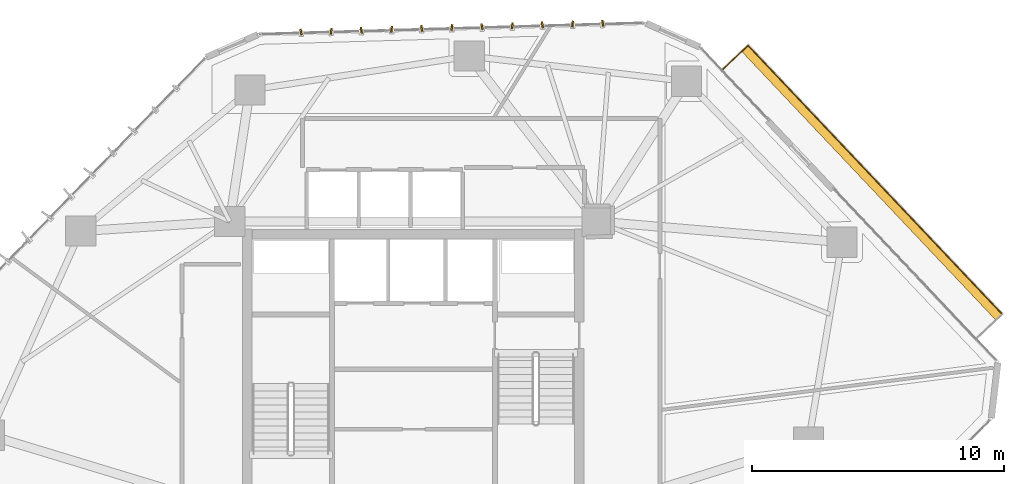
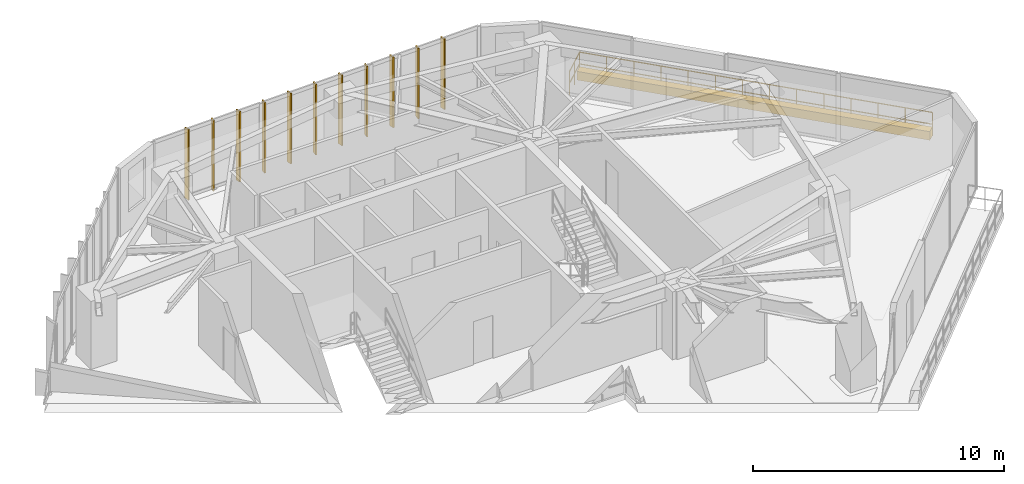
# One storey, part 23 of 23: 11 shading devices, 2 railings, 1 covering.
"""IFC4 building model written with IfcOpenShell, lengths in metres."""

from ifc_helpers import new_model, si_unit, direction, frame, origin, origin_2d, place, context, subcontext, project, spatial, polyline, rectangle, circle, outline, extrude, source, transform, mapped, material, layer, layer_set, type_object, type_shapes, element, save


model = new_model("IFC4")

# Units and contexts
model_context = context("Model", 3, precision=1e-05, world=origin(), true_north=direction((0.0, 1.0)))
body_context = subcontext(model_context, "Body", "Model", "MODEL_VIEW")
ifc_project = project(units=[si_unit("LENGTHUNIT", "METRE"), si_unit("AREAUNIT", "SQUARE_METRE"), si_unit("VOLUMEUNIT", "CUBIC_METRE"), si_unit("PLANEANGLEUNIT", "RADIAN"), si_unit("MASSUNIT", "GRAM", prefix="KILO")], contexts=[model_context])

# Site, building, storey
site_placement = place(None, origin())
site = spatial("IfcSite", under=ifc_project, at=site_placement, CompositionType="ELEMENT")
building_placement = place(site_placement, origin())
building = spatial("IfcBuilding", under=site, at=building_placement, Name="Talar Marvaseh", CompositionType="ELEMENT")
storey_placement = place(building_placement, frame((0.0, 0.0, 96.60009765625)))
storey = spatial("IfcBuildingStorey", under=building, at=storey_placement, Name="L24", CompositionType="ELEMENT", Elevation=96.60009765625)

# Railings
ifc_material_1 = material(Name="Tempered Clear Glass", Category="glass")
railing_type = type_object("IfcRailingType", Name="External Laminated Glass Terrace Balustrade 1150", PredefinedType="BALUSTRADE", material=ifc_material_1)
railing_1_placement = place(storey_placement, frame((38.284423828125, 42.9296875, 0.0)))
element("IfcRailing", 1, at=railing_1_placement, inside=storey, type_object=railing_type, Name="L24 External Terrace Balustrade 1 1", PredefinedType="BALUSTRADE", context=body_context, shape_type="SweptSolid", body=[
    extrude(circle(Radius=0.02392578125, at=origin_2d()), frame((0.0, 0.0, 1.1259765625), z_axis=(0.726484769362, 0.687182566634, 0.0), x_axis=(-0.687182566634, 0.726484769362, 0.0)), (0.0, 0.0, 1.0), 1.41015625),
    extrude(circle(Radius=0.02392578125, at=origin_2d()), frame((0.0, 0.0, 0.55078125), z_axis=(0.726484769362, 0.687182566634, 0.0), x_axis=(-0.687182566634, 0.726484769362, 0.0)), (0.0, 0.0, 1.0), 1.41015625),
    extrude(circle(Radius=0.02099609375, at=origin_2d()), origin(), (0.0, 0.0, 1.0), 1.101806640625),
    extrude(circle(Radius=0.02099609375, at=origin_2d()), frame((0.51220703125, 0.484375, 0.0)), (0.0, 0.0, 1.0), 1.101806640625),
    extrude(circle(Radius=0.02099609375, at=origin_2d()), frame((1.0244140625, 0.968994140625, 0.0)), (0.0, 0.0, 1.0), 1.101806640625),
])
railing_2_placement = place(storey_placement, frame((39.308837890625, 43.898681640625, 0.0)))
element("IfcRailing", 2, at=railing_2_placement, inside=storey, type_object=railing_type, Name="L24 External Terrace Balustrade 1 2", PredefinedType="BALUSTRADE", context=body_context, shape_type="SweptSolid", body=[
    extrude(circle(Radius=0.02392578125, at=origin_2d()), frame((0.0, 0.0, 1.1259765625), z_axis=(0.687140594291, -0.72652446874, 0.0), x_axis=(0.72652446874, 0.687140594291, 0.0)), (0.0, 0.0, 1.0), 14.691650390625),
    extrude(circle(Radius=0.02392578125, at=origin_2d()), frame((0.0, 0.0, 0.55078125), z_axis=(0.687140594291, -0.72652446874, 0.0), x_axis=(0.72652446874, 0.687140594291, 0.0)), (0.0, 0.0, 1.0), 14.691650390625),
    extrude(circle(Radius=0.02099609375, at=origin_2d()), origin(), (0.0, 0.0, 1.0), 1.101806640625),
    extrude(circle(Radius=0.02099609375, at=origin_2d()), frame((0.776611328125, -0.821044921875, 0.0)), (0.0, 0.0, 1.0), 1.101806640625),
    extrude(circle(Radius=0.02099609375, at=origin_2d()), frame((1.55322265625, -1.64208984375, 0.0)), (0.0, 0.0, 1.0), 1.101806640625),
    extrude(circle(Radius=0.02099609375, at=origin_2d()), frame((2.32958984375, -2.463134765625, 0.0)), (0.0, 0.0, 1.0), 1.101806640625),
    extrude(circle(Radius=0.02099609375, at=origin_2d()), frame((3.106201171875, -3.2841796875, 0.0)), (0.0, 0.0, 1.0), 1.101806640625),
    extrude(circle(Radius=0.02099609375, at=origin_2d()), frame((3.8828125, -4.105224609375, 0.0)), (0.0, 0.0, 1.0), 1.101806640625),
    extrude(circle(Radius=0.02099609375, at=origin_2d()), frame((4.659423828125, -4.92626953125, 0.0)), (0.0, 0.0, 1.0), 1.101806640625),
    extrude(circle(Radius=0.02099609375, at=origin_2d()), frame((5.435791015625, -5.74755859375, 0.0)), (0.0, 0.0, 1.0), 1.101806640625),
    extrude(circle(Radius=0.02099609375, at=origin_2d()), frame((6.21240234375, -6.568603515625, 0.0)), (0.0, 0.0, 1.0), 1.101806640625),
    extrude(circle(Radius=0.02099609375, at=origin_2d()), frame((6.989013671875, -7.3896484375, 0.0)), (0.0, 0.0, 1.0), 1.101806640625),
    extrude(circle(Radius=0.02099609375, at=origin_2d()), frame((7.765625, -8.210693359375, 0.0)), (0.0, 0.0, 1.0), 1.101806640625),
    extrude(circle(Radius=0.02099609375, at=origin_2d()), frame((8.5419921875, -9.03173828125, 0.0)), (0.0, 0.0, 1.0), 1.101806640625),
    extrude(circle(Radius=0.02099609375, at=origin_2d()), frame((9.318603515625, -9.852783203125, 0.0)), (0.0, 0.0, 1.0), 1.101806640625),
    extrude(circle(Radius=0.02099609375, at=origin_2d()), frame((10.09521484375, -10.673828125, 0.0)), (0.0, 0.0, 1.0), 1.101806640625),
])

# Covering
ifc_material_2 = material(Name="Planted Terrace Vegetated Substrate")
ifc_layer_1 = layer(ifc_material_2, 0.39990234375)
ifc_layer_set_1 = layer_set([ifc_layer_1], Name="Planted Terrace Vegetated Substrate")
covering_type = type_object("IfcCoveringType", Name="Planted Terrace Soil Planter Box Cladding", PredefinedType="CLADDING", material=ifc_layer_set_1)
covering_placement = place(storey_placement, origin())
element("IfcCovering", 3, at=covering_placement, inside=storey, type_object=covering_type, Name="L24 Balcony Structural Planter 1", PredefinedType="CLADDING", context=body_context, shape_type="SweptSolid", body=[
    extrude(outline(polyline([(39.308837890625, 43.898681640625), (49.404052734375, 33.224853515625), (49.14990234375, 32.984375), (39.0546875, 43.658203125), (39.308837890625, 43.898681640625)])), origin(), (0.0, 0.0, 1.0), 0.419921875),
])

# Shading devices
ifc_material_3 = material(Name="Anodised Champagne Bronze Aluminium", Category="aluminium")
ifc_layer_2 = layer(ifc_material_3, 0.06494140625)
ifc_layer_set_2 = layer_set([ifc_layer_2], Name="Anodised Champagne Bronze Aluminium")
shading_device_type = type_object("IfcShadingDeviceType", Name="Sawtooth Champagne Bronze Vertical Fin 240", PredefinedType="USERDEFINED", material=ifc_layer_set_2)
shared_shape = source(origin(), body_context, "Body", "SweptSolid", [
    extrude(rectangle(XDim=0.239990234375, YDim=0.06494140625, at=origin_2d()), origin(), (0.0, 0.0, 1.0), 3.429931640625),
])
type_shapes(shading_device_type, [shared_shape])
for number, where, z_axis, x_axis, name in (
    (4, (21.534912109375, 44.433349609375, -0.1201171875), (0.0, 0.0, 1.0), (-0.168145293887, 0.985762222924, 0.0), "L24 Sawtooth Vertical Solar Fin"),
    (5, (22.734375, 44.468505859375, -0.1201171875), (0.0, 0.0, 1.0), (0.110081262225, 0.9939225904, 0.0), "L24 Sawtooth Vertical Solar Fin"),
    (6, (23.933837890625, 44.50390625, -0.1201171875), (0.0, 0.0, 1.0), (-0.168145293887, 0.985762222924, 0.0), "L24 Sawtooth Vertical Solar Fin"),
    (7, (25.13330078125, 44.5390625, -0.1201171875), (0.0, 0.0, 1.0), (0.110081262225, 0.9939225904, 0.0), "L24 Sawtooth Vertical Solar Fin"),
    (8, (26.332763671875, 44.57421875, -0.1201171875), (0.0, 0.0, 1.0), (-0.168145293887, 0.985762222924, 0.0), "L24 Sawtooth Vertical Solar Fin"),
    (9, (27.5322265625, 44.609619140625, -0.1201171875), (0.0, 0.0, 1.0), (0.110081262225, 0.9939225904, 0.0), "L24 Sawtooth Vertical Solar Fin"),
    (10, (28.731689453125, 44.644775390625, -0.1201171875), (0.0, 0.0, 1.0), (-0.168145293887, 0.985762222924, 0.0), "L24 Sawtooth Vertical Solar Fin"),
    (11, (29.93115234375, 44.679931640625, -0.1201171875), (0.0, 0.0, 1.0), (0.110081262225, 0.9939225904, 0.0), "L24 Sawtooth Vertical Solar Fin"),
    (12, (31.130615234375, 44.715087890625, -0.1201171875), (0.0, 0.0, 1.0), (-0.168145293887, 0.985762222924, 0.0), "L24 Sawtooth Vertical Solar Fin"),
    (13, (32.330078125, 44.75048828125, -0.1201171875), (0.0, 0.0, 1.0), (0.110081262225, 0.9939225904, 0.0), "L24 Sawtooth Vertical Solar Fin"),
    (14, (33.52978515625, 44.78564453125, -0.1201171875), (0.0, 0.0, 1.0), (-0.168145293887, 0.985762222924, 0.0), "L24 Sawtooth Vertical Solar Fin"),
):
    element("IfcShadingDevice", number, at=place(storey_placement, frame(where, z_axis=z_axis, x_axis=x_axis)), inside=storey, type_object=shading_device_type, Name=name, ObjectType="FIN", PredefinedType="USERDEFINED", context=body_context, shape_type="MappedRepresentation", body=[
        mapped(shared_shape, transform((0.0, 0.0, 0.0), x_axis=(1.0, 0.0, 0.0), y_axis=(0.0, 1.0, 0.0), z_axis=(0.0, 0.0, 1.0), scale=1.0)),
    ])

save(model, "model.ifc")
